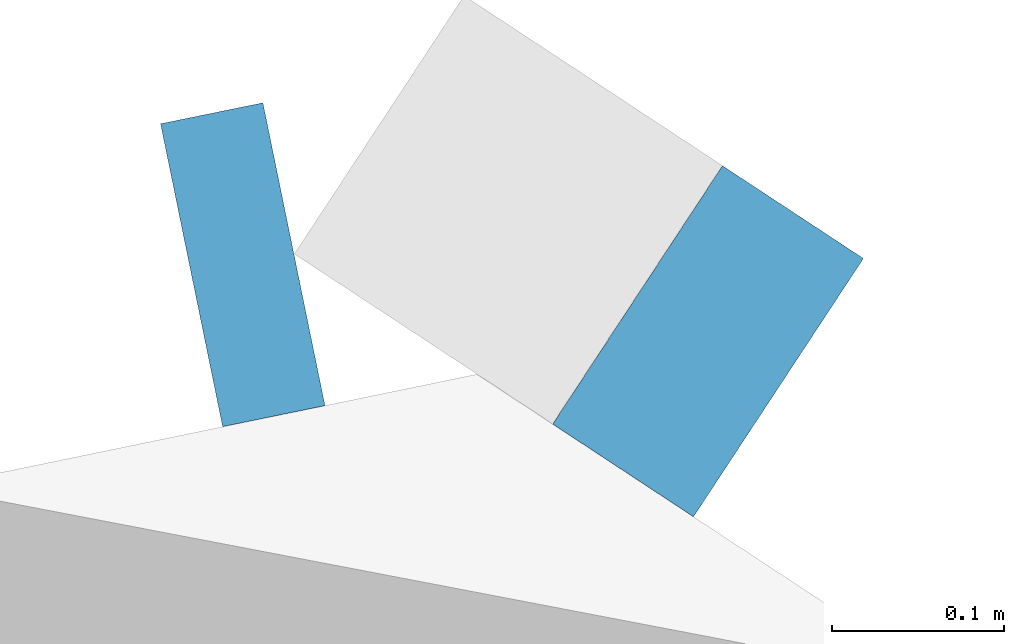
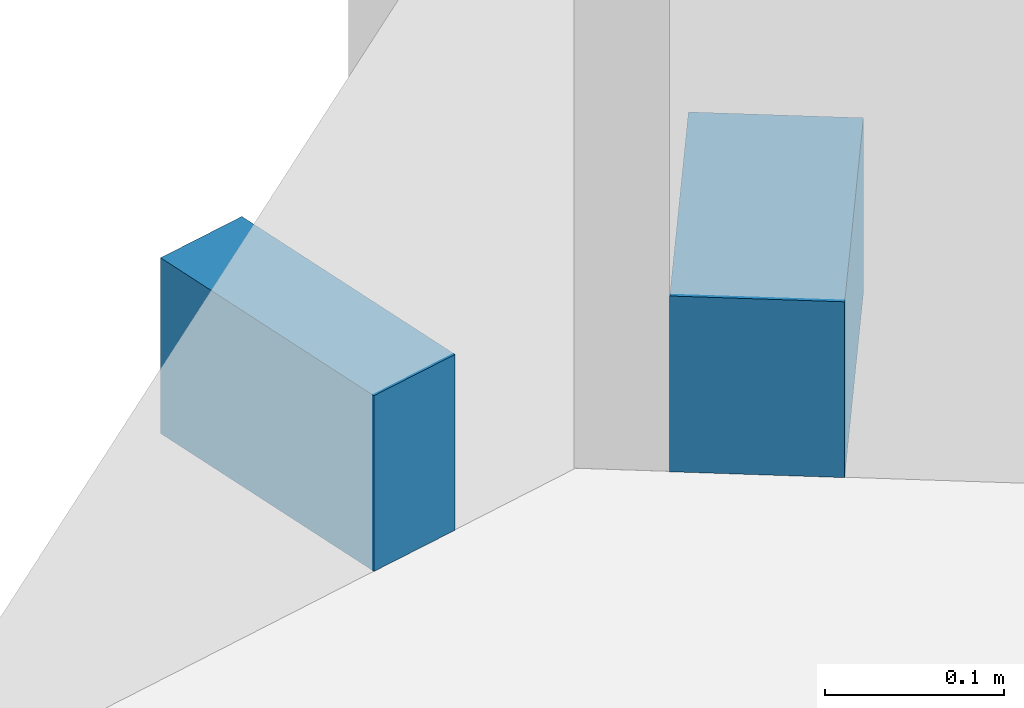
# One storey, part 15 of 24: 2 members, 2 elements without a shape of their own.
"""IFC4 building model written with IfcOpenShell, lengths in metres."""

from ifc_helpers import new_model, si_unit, direction, frame, origin, origin_2d, place, context, subcontext, project, spatial, rectangle, extrude, material, material_profile, profile_set, type_object, element, aggregate, save


model = new_model("IFC4")

# Units and contexts
model_context = context("Model", 3, precision=1e-05, world=origin(), true_north=direction((0.0, 1.0)))
body_context = subcontext(model_context, "Body", "Model", "MODEL_VIEW")
ifc_project = project(units=[si_unit("LENGTHUNIT", "METRE"), si_unit("AREAUNIT", "SQUARE_METRE"), si_unit("VOLUMEUNIT", "CUBIC_METRE"), si_unit("PLANEANGLEUNIT", "RADIAN"), si_unit("MASSUNIT", "GRAM", prefix="KILO")], contexts=[model_context])

# Site, building, storey
site_placement = place(None, origin())
site = spatial("IfcSite", under=ifc_project, at=site_placement, CompositionType="ELEMENT")
building_placement = place(site_placement, origin())
building = spatial("IfcBuilding", under=site, at=building_placement, Name="Orlundy Tower", CompositionType="ELEMENT")
storey_placement = place(building_placement, frame((0.0, 0.0, 242.5)))
storey = spatial("IfcBuildingStorey", under=building, at=storey_placement, Name="L64", CompositionType="ELEMENT", Elevation=242.5)

# Curtain wall, member
ifc_material_1 = material(Name="Aluminium bronze anodised", Category="aluminium")
curtain_wall_type = type_object("IfcCurtainWallType", Name="CW1 wall", PredefinedType="NOTDEFINED", material=ifc_material_1)
curtain_wall_1_placement = place(storey_placement, origin())
curtain_wall_1 = element("IfcCurtainWall", 1, at=curtain_wall_1_placement, inside=storey, type_object=curtain_wall_type, Name="CW1 run 016", PredefinedType="NOTDEFINED")
ifc_material_2 = material(Name="Aluminium bronze anodised", Category="aluminium")
ifc_material_profile = material_profile(ifc_material_2, rectangle(XDim=0.179931640625, YDim=0.1201171875, at=origin_2d()), Name="CW1 transom 180x120")
ifc_profile_set = profile_set([ifc_material_profile], Name="Aluminium bronze anodised")
member_type = type_object("IfcMemberType", Name="CW1 transom 180x120", PredefinedType="USERDEFINED", material=ifc_profile_set)
member_1_placement = place(storey_placement, frame((5.93701171875, 31.95068359375, -0.340087890625), z_axis=(0.97964320999, 0.200746559424, 0.0), x_axis=(-0.200746559424, 0.97964320999, 0.0)))
member_1 = element("IfcMember", 2, at=member_1_placement, type_object=member_type, Name="CW1 transom", ObjectType="TRANSOM", PredefinedType="USERDEFINED", context=body_context, shape_type="SweptSolid", body=[
    extrude(rectangle(XDim=0.179931640625, YDim=0.1201171875, at=origin_2d()), origin(), (0.0, 0.0, 1.0), 0.060791015625),
])
aggregate(curtain_wall_1, [member_1])

curtain_wall_2_placement = place(storey_placement, origin())
curtain_wall_2 = element("IfcCurtainWall", 3, at=curtain_wall_2_placement, inside=storey, type_object=curtain_wall_type, Name="CW1 run 017", PredefinedType="NOTDEFINED")
member_2_placement = place(storey_placement, frame((6.196533203125, 31.939208984375, -0.340087890625), z_axis=(0.835477167613, -0.549525160841, 0.0), x_axis=(0.549525160841, 0.835477167613, 0.0)))
member_2 = element("IfcMember", 4, at=member_2_placement, type_object=member_type, Name="CW1 transom", ObjectType="TRANSOM", PredefinedType="USERDEFINED", context=body_context, shape_type="SweptSolid", body=[
    extrude(rectangle(XDim=0.179931640625, YDim=0.1201171875, at=origin_2d()), origin(), (0.0, 0.0, 1.0), 0.09814453125),
])
aggregate(curtain_wall_2, [member_2])

save(model, "model.ifc")
